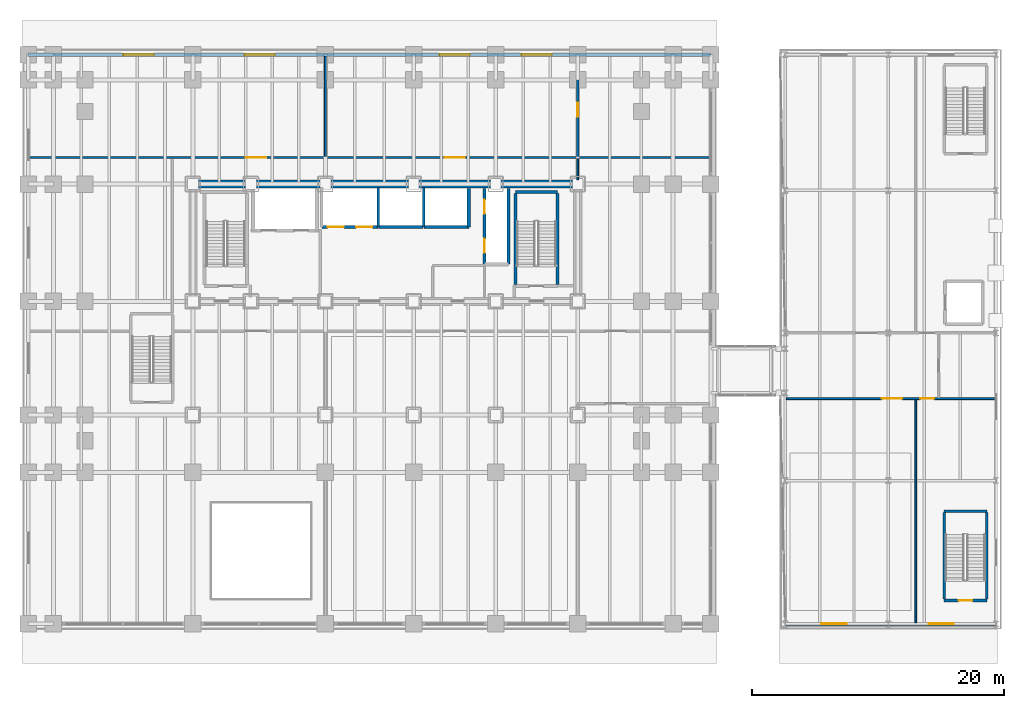
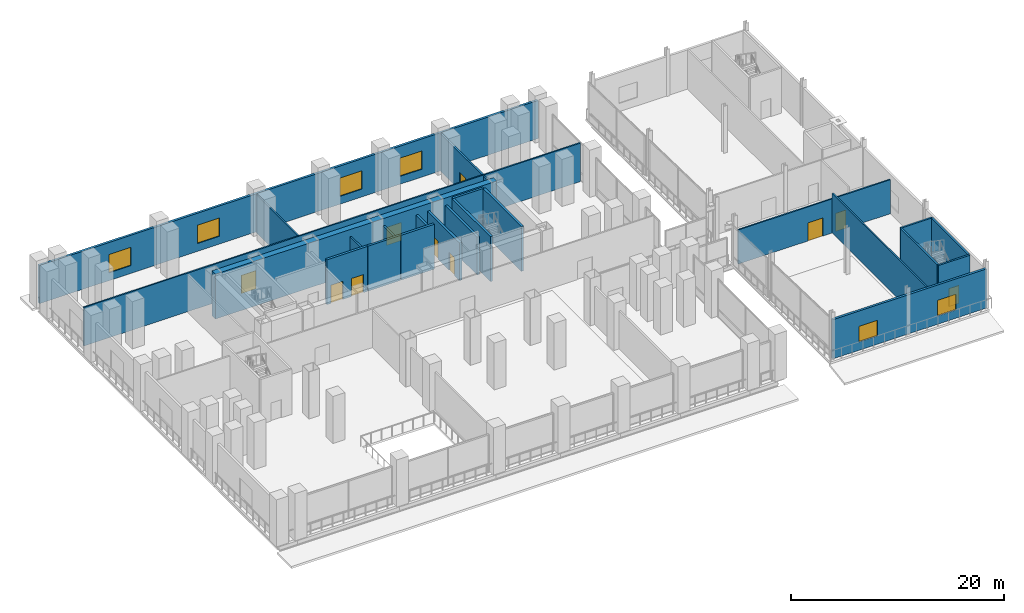
# One storey, part 21 of 32: 24 walls, 10 doors, 6 windows, 16 openings.
"""IFC4 building model written with IfcOpenShell, lengths in metres."""

import ifcopenshell
import ifcopenshell.guid

model = None  # the IFC model being written
_history = None  # IfcOwnerHistory: only IFC2X3 demands one
_inside = {}  # id of a spatial element -> (the spatial element, [elements in it])
_under = {}  # id of a project, library or spatial element -> (it, [spatial elements below it])
_declared = {}  # id of a project -> (the project, [libraries it declares])
_typed = {}  # id of a type object -> (the type object, [elements of that type])
_made_of = {}  # id of a material, layer set ... -> (it, [elements and type objects made of it])


def new_model(schema):
    """Start an empty IFC model of exactly this schema.

    Asked for "IFC4X3", IfcOpenShell would pick the latest addendum, in which some entities
    have other attributes; the version numbers below select the first issue.
    IFC2X3 requires an IfcOwnerHistory on every rooted entity: one is made here for all.
    """
    global model, _history
    if schema == "IFC4X3":
        model = ifcopenshell.file(schema_version=(4, 3, 0, 0))
    else:
        model = ifcopenshell.file(schema=schema)
    _inside.clear()
    _under.clear()
    _declared.clear()
    _typed.clear()
    _made_of.clear()
    _history = None
    if model.schema == "IFC2X3":
        org = make("IfcOrganization", Name="unknown")
        user = make(
            "IfcPersonAndOrganization",
            ThePerson=make("IfcPerson", FamilyName="unknown"),
            TheOrganization=org,
        )
        app = make(
            "IfcApplication",
            ApplicationDeveloper=org,
            Version="unknown",
            ApplicationFullName="unknown",
            ApplicationIdentifier="unknown",
        )
        _history = make(
            "IfcOwnerHistory",
            OwningUser=user,
            OwningApplication=app,
            ChangeAction="ADDED",
            CreationDate=0,
        )
    return model


def make(cls, **values):
    """One entity of the class cls with the attributes given. An attribute that is None is left unset."""
    return model.create_entity(
        cls, **{name: value for name, value in values.items() if value is not None}
    )


def rooted(cls, **values):
    """An entity with a GlobalId (a new one), such as an element, a storey or a relation."""
    return make(cls, GlobalId=ifcopenshell.guid.new(), OwnerHistory=_history, **values)


def si_unit(unit_type, name, prefix=None):
    """IfcSIUnit, for example si_unit("LENGTHUNIT", "METRE", prefix="MILLI")."""
    return make("IfcSIUnit", UnitType=unit_type, Prefix=prefix, Name=name)


def assignment(units):
    """IfcUnitAssignment: the units of a project."""
    return None if units is None else make("IfcUnitAssignment", Units=units)


def point(xyz):
    """IfcCartesianPoint."""
    return None if xyz is None else make("IfcCartesianPoint", Coordinates=xyz)


def direction(xyz):
    """IfcDirection."""
    return None if xyz is None else make("IfcDirection", DirectionRatios=xyz)


def frame(location, z_axis=None, x_axis=None):
    """IfcAxis2Placement3D, a coordinate frame: its origin and axes. An axis left out is left unset."""
    return make(
        "IfcAxis2Placement3D",
        Location=point(location),
        Axis=direction(z_axis),
        RefDirection=direction(x_axis),
    )


def frame_2d(location, x_axis=None):
    """IfcAxis2Placement2D, a coordinate frame in the plane: its origin and x axis."""
    return make(
        "IfcAxis2Placement2D", Location=point(location), RefDirection=direction(x_axis)
    )


def origin():
    """The frame at (0, 0, 0) with its axes left unset."""
    return frame((0.0, 0.0, 0.0))


def place(relative_to, where):
    """IfcLocalPlacement: puts the frame where relative to a parent placement (None: the world)."""
    return make(
        "IfcLocalPlacement", PlacementRelTo=relative_to, RelativePlacement=where
    )


def context(
    kind, dimensions, precision=None, world=None, true_north=None, identifier=None
):
    """IfcGeometricRepresentationContext, for example the 3D "Model" context."""
    return make(
        "IfcGeometricRepresentationContext",
        ContextIdentifier=identifier,
        ContextType=kind,
        CoordinateSpaceDimension=dimensions,
        Precision=precision,
        WorldCoordinateSystem=world,
        TrueNorth=true_north,
    )


def subcontext(parent, identifier, kind, view, scale=None):
    """IfcGeometricRepresentationSubContext, for example "Body" below "Model"."""
    return make(
        "IfcGeometricRepresentationSubContext",
        ContextIdentifier=identifier,
        ContextType=kind,
        ParentContext=parent,
        TargetScale=scale,
        TargetView=view,
    )


def project(units=None, contexts=None):
    """IfcProject with its units and contexts."""
    return rooted(
        "IfcProject",
        Name="project",
        RepresentationContexts=contexts,
        UnitsInContext=assignment(units),
    )


def spatial(cls, under=None, at=None, **own):
    """A site, building, storey or space (cls), placed at a placement, below another one or the project."""
    s = rooted(cls, ObjectPlacement=at, **own)
    if under is not None:
        _under.setdefault(under.id(), (under, []))[1].append(s)
    return s


def profile(cls, at=None, kind="AREA", **sizes):
    """A parametric profile (cls). Its sizes go by their IFC names, for example OverallWidth=200.0."""
    return make(cls, ProfileType=kind, Position=at, **sizes)


def rectangle(**sizes):
    """IfcRectangleProfileDef."""
    return profile("IfcRectangleProfileDef", **sizes)


def extrude(swept, where, along, depth):
    """IfcExtrudedAreaSolid: the profile swept, set in the frame where, extruded along a direction by depth."""
    return make(
        "IfcExtrudedAreaSolid",
        SweptArea=swept,
        Position=where,
        ExtrudedDirection=direction(along),
        Depth=depth,
    )


def shape(context_of_items, identifier, shape_type, items):
    """IfcShapeRepresentation: the items that make up one representation, for example the "Body"."""
    return make(
        "IfcShapeRepresentation",
        ContextOfItems=context_of_items,
        RepresentationIdentifier=identifier,
        RepresentationType=shape_type,
        Items=items,
    )


def material(Name=None, Category=None):
    """IfcMaterial."""
    return make("IfcMaterial", Name=Name, Category=Category)


def layer(
    of_material, thickness, ventilated=None, Name=None, Category=None, Priority=None
):
    """IfcMaterialLayer: one layer of a wall or slab, of a material (None: an air gap)."""
    return make(
        "IfcMaterialLayer",
        Material=of_material,
        LayerThickness=thickness,
        IsVentilated=ventilated,
        Name=Name,
        Category=Category,
        Priority=Priority,
    )


def layer_set(layers, Name=None):
    """IfcMaterialLayerSet."""
    return make("IfcMaterialLayerSet", MaterialLayers=layers, LayerSetName=Name)


def made_of(thing, what):
    """Note that an element or type object is made of a material, layer set ...; save() writes the relation."""
    if what is not None:
        _made_of.setdefault(what.id(), (what, []))[1].append(thing)
    return thing


def type_object(cls, material=None, **own):
    """A type object (cls), such as IfcWallType, which elements share."""
    return made_of(rooted(cls, **own), material)


def element(
    cls,
    number,
    at=None,
    inside=None,
    cuts=None,
    type_object=None,
    material=None,
    context=None,
    identifier="Body",
    shape_type=None,
    held_by="IfcProductDefinitionShape",
    body=None,
    shapes=None,
    **own,
):
    """One element of the class cls, such as IfcWall. Its Tag is "e" and its number.

    at: its placement. inside: the storey or other place that contains it. cuts: it is an
    opening in that element (IfcRelVoidsElement). A single representation is given by context,
    identifier, shape_type and body (its items); several are given by shapes. held_by: the class
    of the entity that holds the representations. save() writes the other relations.
    """
    e = rooted(cls, Tag="e%d" % number, ObjectPlacement=at, **own)
    if body is not None:
        shapes = [shape(context, identifier, shape_type, body)]
    if shapes is not None:
        e.Representation = make(held_by, Representations=shapes)
    if inside is not None:
        _inside.setdefault(inside.id(), (inside, []))[1].append(e)
    if cuts is not None:
        rooted(
            "IfcRelVoidsElement", RelatingBuildingElement=cuts, RelatedOpeningElement=e
        )
    if type_object is not None:
        _typed.setdefault(type_object.id(), (type_object, []))[1].append(e)
    return made_of(e, material)


def fill(opening, filler):
    """IfcRelFillsElement: the door or window that sits in an opening."""
    return rooted(
        "IfcRelFillsElement",
        RelatingOpeningElement=opening,
        RelatedBuildingElement=filler,
    )


def aggregate(whole, parts):
    """IfcRelAggregates: a whole, such as a stair, and the parts it consists of."""
    return rooted("IfcRelAggregates", RelatingObject=whole, RelatedObjects=parts)


def save(model, path):
    """Write the relations noted so far, then the file.

    IfcRelAggregates (storeys below a building ...), IfcRelContainedInSpatialStructure (elements
    in a storey), IfcRelDefinesByType, IfcRelAssociatesMaterial and IfcRelDeclares: one each for
    every whole, place, type object, material and project.
    """
    for whole, parts in _under.values():
        aggregate(whole, parts)
    for where, things in _inside.values():
        rooted(
            "IfcRelContainedInSpatialStructure",
            RelatedElements=things,
            RelatingStructure=where,
        )
    for kind, things in _typed.values():
        rooted("IfcRelDefinesByType", RelatedObjects=things, RelatingType=kind)
    for what, things in _made_of.values():
        rooted("IfcRelAssociatesMaterial", RelatedObjects=things, RelatingMaterial=what)
    for by, libraries in _declared.values():
        rooted("IfcRelDeclares", RelatingContext=by, RelatedDefinitions=libraries)
    model.write(path)


model = new_model("IFC4")

# Units and contexts
model_context = context("Model", 3, precision=1e-05, world=origin(), true_north=direction((0.0, 1.0)))
body_context = subcontext(model_context, "Body", "Model", "MODEL_VIEW")
ifc_project = project(units=[si_unit("LENGTHUNIT", "METRE"), si_unit("AREAUNIT", "SQUARE_METRE"), si_unit("VOLUMEUNIT", "CUBIC_METRE"), si_unit("PLANEANGLEUNIT", "RADIAN"), si_unit("MASSUNIT", "GRAM", prefix="KILO")], contexts=[model_context])

# Site, building, storey
site_placement = place(None, origin())
site = spatial("IfcSite", under=ifc_project, at=site_placement, CompositionType="ELEMENT")
building_placement = place(site_placement, origin())
building = spatial("IfcBuilding", under=site, at=building_placement, Name="Noeulbin Bourse Tower", CompositionType="ELEMENT")
storey_placement = place(building_placement, frame((0.0, 0.0, 5.800048828125)))
storey = spatial("IfcBuildingStorey", under=building, at=storey_placement, Name="L02", CompositionType="ELEMENT", Elevation=5.800048828125)

# Wall
ifc_material_1 = material(Name="Concrete C60/75", Category="concrete")
ifc_layer_1 = layer(ifc_material_1, 0.64990234375)
ifc_layer_set_1 = layer_set([ifc_layer_1], Name="Concrete C60/75")
wall_type_1 = type_object("IfcWallType", Name="WAL-CORE-650", PredefinedType="SHEAR", material=ifc_layer_set_1)
wall_1_placement = place(storey_placement, frame((13.5, 38.300048828125, 0.0), z_axis=(0.0, 0.0, 1.0), x_axis=(1.0, 0.0, 0.0)))
element("IfcWall", 1, at=wall_1_placement, inside=storey, type_object=wall_type_1, Name="Rear Core North Shear Wall L02", PredefinedType="SHEAR", context=body_context, shape_type="SweptSolid", body=[
    extrude(rectangle(XDim=30.5, YDim=0.64990234375, at=frame_2d((15.25, 0.0))), origin(), (0.0, 0.0, 1.0), 5.14990234375),
])

# Wall, openings, windows
ifc_material_2 = material(Name="Precast Concrete C40/50", Category="concrete")
ifc_layer_2 = layer(ifc_material_2, 0.25)
ifc_layer_set_2 = layer_set([ifc_layer_2], Name="Precast Concrete C40/50")
wall_type_2 = type_object("IfcWallType", Name="WAL-EXT-250", PredefinedType="STANDARD", material=ifc_layer_set_2)
wall_2_placement = place(storey_placement, frame((0.449951171875, 48.550048828125, 0.0), z_axis=(0.0, 0.0, 1.0), x_axis=(1.0, 0.0, 0.0)))
wall_2 = element("IfcWall", 2, at=wall_2_placement, inside=storey, type_object=wall_type_2, Name="Podium North Precast Wall L02", PredefinedType="STANDARD", context=body_context, shape_type="SweptSolid", body=[
    extrude(rectangle(XDim=54.10009765625, YDim=0.25, at=frame_2d((27.050048828125, 0.0))), origin(), (0.0, 0.0, 1.0), 4.369873046875),
])
opening_1_placement = place(wall_2_placement, frame((7.550048828125, 0.0, 0.89990234375)))
opening_1 = element("IfcOpeningElement", 3, at=opening_1_placement, cuts=wall_2, Name="Opening W-01", PredefinedType="OPENING", context=body_context, shape_type="SweptSolid", body=[
    extrude(rectangle(XDim=2.39990234375, YDim=2.10009765625, at=frame_2d((1.199951171875, 1.050048828125))), frame((0.0, 0.135009765625, 0.0), z_axis=(0.0, -1.0, 0.0), x_axis=(1.0, 0.0, 0.0)), (0.0, 0.0, 1.0), 0.27001953125),
])
opening_2_placement = place(wall_2_placement, frame((17.14990234375, 0.0, 0.89990234375)))
opening_2 = element("IfcOpeningElement", 4, at=opening_2_placement, cuts=wall_2, Name="Opening W-01", PredefinedType="OPENING", context=body_context, shape_type="SweptSolid", body=[
    extrude(rectangle(XDim=2.39990234375, YDim=2.10009765625, at=frame_2d((1.199951171875, 1.050048828125))), frame((0.0, 0.135009765625, 0.0), z_axis=(0.0, -1.0, 0.0), x_axis=(1.0, 0.0, 0.0)), (0.0, 0.0, 1.0), 0.27001953125),
])
opening_3_placement = place(wall_2_placement, frame((32.60009765625, 0.0, 0.89990234375)))
opening_3 = element("IfcOpeningElement", 5, at=opening_3_placement, cuts=wall_2, Name="Opening W-01", PredefinedType="OPENING", context=body_context, shape_type="SweptSolid", body=[
    extrude(rectangle(XDim=2.39990234375, YDim=2.10009765625, at=frame_2d((1.199951171875, 1.050048828125))), frame((0.0, 0.135009765625, 0.0), z_axis=(0.0, -1.0, 0.0), x_axis=(1.0, 0.0, 0.0)), (0.0, 0.0, 1.0), 0.27001953125),
])
opening_4_placement = place(wall_2_placement, frame((39.10009765625, 0.0, 0.89990234375)))
opening_4 = element("IfcOpeningElement", 6, at=opening_4_placement, cuts=wall_2, Name="Opening W-01", PredefinedType="OPENING", context=body_context, shape_type="SweptSolid", body=[
    extrude(rectangle(XDim=2.39990234375, YDim=2.10009765625, at=frame_2d((1.199951171875, 1.050048828125))), frame((0.0, 0.135009765625, 0.0), z_axis=(0.0, -1.0, 0.0), x_axis=(1.0, 0.0, 0.0)), (0.0, 0.0, 1.0), 0.27001953125),
])
ifc_material_3 = material(Name="Thermally Broken Aluminium Triple Glazing", Category="aluminium")
window_type_1 = type_object("IfcWindowType", Name="WIN-POD-2400x2100", PartitioningType="SINGLE_PANEL", PredefinedType="WINDOW", material=ifc_material_3)
window_1_placement = place(opening_1_placement, origin())
window_1 = element("IfcWindow", 7, at=window_1_placement, inside=storey, type_object=window_type_1, Name="Podium North Window L02-01", OverallHeight=2.10009765625, OverallWidth=2.39990234375, PartitioningType="SINGLE_PANEL", PredefinedType="WINDOW", context=body_context, shape_type="SweptSolid", body=[
    extrude(rectangle(XDim=2.39990234375, YDim=2.10009765625, at=frame_2d((1.199951171875, 1.050048828125))), frame((0.0, 0.030029296875, 0.0), z_axis=(0.0, -1.0, 0.0), x_axis=(1.0, 0.0, 0.0)), (0.0, 0.0, 1.0), 0.06005859375),
])
fill(opening_1, window_1)
window_2_placement = place(opening_2_placement, origin())
window_2 = element("IfcWindow", 8, at=window_2_placement, inside=storey, type_object=window_type_1, Name="Podium North Window L02-02", OverallHeight=2.10009765625, OverallWidth=2.39990234375, PartitioningType="SINGLE_PANEL", PredefinedType="WINDOW", context=body_context, shape_type="SweptSolid", body=[
    extrude(rectangle(XDim=2.39990234375, YDim=2.10009765625, at=frame_2d((1.199951171875, 1.050048828125))), frame((0.0, 0.030029296875, 0.0), z_axis=(0.0, -1.0, 0.0), x_axis=(1.0, 0.0, 0.0)), (0.0, 0.0, 1.0), 0.06005859375),
])
fill(opening_2, window_2)
window_3_placement = place(opening_3_placement, origin())
window_3 = element("IfcWindow", 9, at=window_3_placement, inside=storey, type_object=window_type_1, Name="Podium North Window L02-03", OverallHeight=2.10009765625, OverallWidth=2.39990234375, PartitioningType="SINGLE_PANEL", PredefinedType="WINDOW", context=body_context, shape_type="SweptSolid", body=[
    extrude(rectangle(XDim=2.39990234375, YDim=2.10009765625, at=frame_2d((1.199951171875, 1.050048828125))), frame((0.0, 0.030029296875, 0.0), z_axis=(0.0, -1.0, 0.0), x_axis=(1.0, 0.0, 0.0)), (0.0, 0.0, 1.0), 0.06005859375),
])
fill(opening_3, window_3)
window_4_placement = place(opening_4_placement, origin())
window_4 = element("IfcWindow", 10, at=window_4_placement, inside=storey, type_object=window_type_1, Name="Podium North Window L02-04", OverallHeight=2.10009765625, OverallWidth=2.39990234375, PartitioningType="SINGLE_PANEL", PredefinedType="WINDOW", context=body_context, shape_type="SweptSolid", body=[
    extrude(rectangle(XDim=2.39990234375, YDim=2.10009765625, at=frame_2d((1.199951171875, 1.050048828125))), frame((0.0, 0.030029296875, 0.0), z_axis=(0.0, -1.0, 0.0), x_axis=(1.0, 0.0, 0.0)), (0.0, 0.0, 1.0), 0.06005859375),
])
fill(opening_4, window_4)

wall_3_placement = place(storey_placement, frame((60.449951171875, 3.449951171875, 0.0), z_axis=(0.0, 0.0, 1.0), x_axis=(1.0, 0.0, 0.0)))
wall_3 = element("IfcWall", 11, at=wall_3_placement, inside=storey, type_object=wall_type_2, Name="Market Hall South Wall L02", PredefinedType="STANDARD", context=body_context, shape_type="SweptSolid", body=[
    extrude(rectangle(XDim=16.699951171875, YDim=0.25, at=frame_2d((8.35009765625, 0.0))), origin(), (0.0, 0.0, 1.0), 4.5),
])
opening_5_placement = place(wall_3_placement, frame((2.85009765625, 0.0, 0.949951171875)))
opening_5 = element("IfcOpeningElement", 12, at=opening_5_placement, cuts=wall_3, Name="Opening W-02", PredefinedType="OPENING", context=body_context, shape_type="SweptSolid", body=[
    extrude(rectangle(XDim=2.0, YDim=1.800048828125, at=frame_2d((1.0, 0.89990234375))), frame((0.0, 0.135009765625, 0.0), z_axis=(0.0, -1.0, 0.0), x_axis=(1.0, 0.0, 0.0)), (0.0, 0.0, 1.0), 0.27001953125),
])
opening_6_placement = place(wall_3_placement, frame((11.35009765625, 0.0, 0.949951171875)))
opening_6 = element("IfcOpeningElement", 13, at=opening_6_placement, cuts=wall_3, Name="Opening W-02", PredefinedType="OPENING", context=body_context, shape_type="SweptSolid", body=[
    extrude(rectangle(XDim=2.0, YDim=1.800048828125, at=frame_2d((1.0, 0.89990234375))), frame((0.0, 0.135009765625, 0.0), z_axis=(0.0, -1.0, 0.0), x_axis=(1.0, 0.0, 0.0)), (0.0, 0.0, 1.0), 0.27001953125),
])
window_type_2 = type_object("IfcWindowType", Name="WIN-MKT-2000x1800", PartitioningType="DOUBLE_PANEL_VERTICAL", PredefinedType="WINDOW", material=ifc_material_3)
window_5_placement = place(opening_5_placement, origin())
window_5 = element("IfcWindow", 14, at=window_5_placement, inside=storey, type_object=window_type_2, Name="Market South Window L02-1", OverallHeight=1.800048828125, OverallWidth=2.0, PartitioningType="SINGLE_PANEL", PredefinedType="WINDOW", context=body_context, shape_type="SweptSolid", body=[
    extrude(rectangle(XDim=2.0, YDim=1.800048828125, at=frame_2d((1.0, 0.89990234375))), frame((0.0, 0.030029296875, 0.0), z_axis=(0.0, -1.0, 0.0), x_axis=(1.0, 0.0, 0.0)), (0.0, 0.0, 1.0), 0.06005859375),
])
fill(opening_5, window_5)
window_6_placement = place(opening_6_placement, origin())
window_6 = element("IfcWindow", 15, at=window_6_placement, inside=storey, type_object=window_type_2, Name="Market South Window L02-2", OverallHeight=1.800048828125, OverallWidth=2.0, PartitioningType="SINGLE_PANEL", PredefinedType="WINDOW", context=body_context, shape_type="SweptSolid", body=[
    extrude(rectangle(XDim=2.0, YDim=1.800048828125, at=frame_2d((1.0, 0.89990234375))), frame((0.0, 0.030029296875, 0.0), z_axis=(0.0, -1.0, 0.0), x_axis=(1.0, 0.0, 0.0)), (0.0, 0.0, 1.0), 0.06005859375),
])
fill(opening_6, window_6)

# Wall, opening, door
ifc_material_4 = material(Name="Concrete C40/50", Category="concrete")
ifc_layer_3 = layer(ifc_material_4, 0.199951171875)
ifc_layer_set_3 = layer_set([ifc_layer_3], Name="Concrete C40/50")
wall_type_3 = type_object("IfcWallType", Name="WAL-FIRE-200", PredefinedType="STANDARD", material=ifc_layer_set_3)
wall_4_placement = place(storey_placement, frame((73.02001953125, 5.300048828125, 0.0), z_axis=(0.0, 0.0, 1.0), x_axis=(1.0, 0.0, 0.0)))
wall_4 = element("IfcWall", 16, at=wall_4_placement, inside=storey, type_object=wall_type_3, Name="Stair MST1 South Wall L02", PredefinedType="STANDARD", context=body_context, shape_type="SweptSolid", body=[
    extrude(rectangle(XDim=3.39990234375, YDim=0.199951171875, at=frame_2d((1.699951171875, 0.0))), origin(), (0.0, 0.0, 1.0), 5.179931640625),
])
opening_7_placement = place(wall_4_placement, frame((1.14990234375, 0.0, 0.0)))
opening_7 = element("IfcOpeningElement", 17, at=opening_7_placement, cuts=wall_4, Name="Opening FD-11", PredefinedType="OPENING", context=body_context, shape_type="SweptSolid", body=[
    extrude(rectangle(XDim=1.10009765625, YDim=2.080078125, at=frame_2d((0.550048828125, 1.0400390625))), frame((0.0, 0.10986328125, 0.0), z_axis=(0.0, -1.0, 0.0), x_axis=(1.0, 0.0, 0.0)), (0.0, 0.0, 1.0), 0.219970703125),
])
ifc_material_5 = material(Name="Fire-Rated Insulated Steel", Category="steel")
door_type_1 = type_object("IfcDoorType", Name="DR-FD60-1100", OperationType="SINGLE_SWING_LEFT", PredefinedType="DOOR", material=ifc_material_5)
door_1_placement = place(opening_7_placement, origin())
door_1 = element("IfcDoor", 18, at=door_1_placement, inside=storey, type_object=door_type_1, Name="Escape Stair Door MST1-L02", OperationType="SINGLE_SWING_RIGHT", OverallHeight=2.080078125, OverallWidth=1.10009765625, PredefinedType="DOOR", context=body_context, shape_type="SweptSolid", body=[
    extrude(rectangle(XDim=1.10009765625, YDim=2.080078125, at=frame_2d((0.550048828125, 1.0400390625))), frame((0.0, 0.02490234375, 0.0), z_axis=(0.0, -1.0, 0.0), x_axis=(1.0, 0.0, 0.0)), (0.0, 0.0, 1.0), 0.050048828125),
])
fill(opening_7, door_1)

# Walls
wall_5_placement = place(storey_placement, frame((73.02001953125, 12.360107421875, 0.0), z_axis=(0.0, 0.0, 1.0), x_axis=(1.0, 0.0, 0.0)))
element("IfcWall", 19, at=wall_5_placement, inside=storey, type_object=wall_type_3, Name="Stair MST1 North Wall L02", PredefinedType="STANDARD", context=body_context, shape_type="SweptSolid", body=[
    extrude(rectangle(XDim=3.39990234375, YDim=0.199951171875, at=frame_2d((1.699951171875, 0.0))), origin(), (0.0, 0.0, 1.0), 5.179931640625),
])
for number, where, z_axis, x_axis, name in (
    (20, (73.0400390625, 5.39990234375, 0.0), (0.0, 0.0, 1.0), (0.0, 1.0, 0.0), "Stair MST1 West Wall L02"),
    (21, (76.39990234375, 5.39990234375, 0.0), (0.0, 0.0, 1.0), (0.0, 1.0, 0.0), "Stair MST1 East Wall L02"),
):
    element("IfcWall", number, at=place(storey_placement, frame(where, z_axis=z_axis, x_axis=x_axis)), inside=storey, type_object=wall_type_3, Name=name, PredefinedType="STANDARD", context=body_context, shape_type="SweptSolid", body=[
        extrude(rectangle(XDim=6.860107421875, YDim=0.199951171875, at=frame_2d((3.43017578125, 0.0))), origin(), (0.0, 0.0, 1.0), 5.179931640625),
    ])

# Wall, opening, door
wall_6_placement = place(storey_placement, frame((44.0, 40.485107421875, 0.0), z_axis=(0.0, 0.0, 1.0), x_axis=(0.0, 1.0, 0.0)))
wall_6 = element("IfcWall", 22, at=wall_6_placement, inside=storey, type_object=wall_type_3, Name="Interior Partition Wall L02-12", PredefinedType="STANDARD", context=body_context, shape_type="SweptSolid", body=[
    extrude(rectangle(XDim=7.934814453125, YDim=0.199951171875, at=frame_2d((3.96728515625, 0.0))), origin(), (0.0, 0.0, 1.0), 4.329833984375),
])
opening_8_placement = place(wall_6_placement, frame((3.1650390625, 0.0, 0.0)))
opening_8 = element("IfcOpeningElement", 23, at=opening_8_placement, cuts=wall_6, Name="Opening FD-11", PredefinedType="OPENING", context=body_context, shape_type="SweptSolid", body=[
    extrude(rectangle(XDim=1.10009765625, YDim=2.080078125, at=frame_2d((0.550048828125, 1.0400390625))), frame((0.0, 0.10986328125, 0.0), z_axis=(0.0, -1.0, 0.0), x_axis=(1.0, 0.0, 0.0)), (0.0, 0.0, 1.0), 0.219970703125),
])
door_2_placement = place(opening_8_placement, origin())
door_2 = element("IfcDoor", 24, at=door_2_placement, inside=storey, type_object=door_type_1, Name="Interior Door L02-07", OperationType="SINGLE_SWING_LEFT", OverallHeight=2.080078125, OverallWidth=1.10009765625, PredefinedType="DOOR", context=body_context, shape_type="SweptSolid", body=[
    extrude(rectangle(XDim=1.10009765625, YDim=2.080078125, at=frame_2d((0.550048828125, 1.0400390625))), frame((0.0, 0.02490234375, 0.0), z_axis=(0.0, -1.0, 0.0), x_axis=(1.0, 0.0, 0.0)), (0.0, 0.0, 1.0), 0.050048828125),
])
fill(opening_8, door_2)

# Wall, openings, doors
ifc_material_6 = material(Name="Steel Stud Acoustic Gypsum Board", Category="steel")
ifc_layer_4 = layer(ifc_material_6, 0.14990234375)
ifc_layer_set_4 = layer_set([ifc_layer_4], Name="Steel Stud Acoustic Gypsum Board")
wall_type_4 = type_object("IfcWallType", Name="WAL-PRT-150", PredefinedType="PARTITIONING", material=ifc_layer_set_4)
wall_7_placement = place(storey_placement, frame((0.580078125, 40.39990234375, 0.0), z_axis=(0.0, 0.0, 1.0), x_axis=(1.0, 0.0, 0.0)))
wall_7 = element("IfcWall", 25, at=wall_7_placement, inside=storey, type_object=wall_type_4, Name="Interior Partition Wall L02-03", PredefinedType="PARTITIONING", context=body_context, shape_type="SweptSolid", body=[
    extrude(rectangle(XDim=53.889892578125, YDim=0.14990234375, at=frame_2d((26.94482421875, 0.0))), origin(), (0.0, 0.0, 1.0), 4.429931640625),
])
opening_9_placement = place(wall_7_placement, frame((17.1201171875, 0.0, 0.0)))
opening_9 = element("IfcOpeningElement", 26, at=opening_9_placement, cuts=wall_7, Name="Opening ID-16", PredefinedType="OPENING", context=body_context, shape_type="SweptSolid", body=[
    extrude(rectangle(XDim=1.60009765625, YDim=2.080078125, at=frame_2d((0.800048828125, 1.0400390625))), frame((0.0, 0.0849609375, 0.0), z_axis=(0.0, -1.0, 0.0), x_axis=(1.0, 0.0, 0.0)), (0.0, 0.0, 1.0), 0.169921875),
])
opening_10_placement = place(wall_7_placement, frame((32.8701171875, 0.0, 0.0)))
opening_10 = element("IfcOpeningElement", 27, at=opening_10_placement, cuts=wall_7, Name="Opening ID-16", PredefinedType="OPENING", context=body_context, shape_type="SweptSolid", body=[
    extrude(rectangle(XDim=1.60009765625, YDim=2.080078125, at=frame_2d((0.800048828125, 1.0400390625))), frame((0.0, 0.0849609375, 0.0), z_axis=(0.0, -1.0, 0.0), x_axis=(1.0, 0.0, 0.0)), (0.0, 0.0, 1.0), 0.169921875),
])
ifc_material_7 = material(Name="Acoustic Glazed Aluminium", Category="aluminium")
door_type_2 = type_object("IfcDoorType", Name="DR-DBL-1600", OperationType="DOUBLE_DOOR_SINGLE_SWING", PredefinedType="DOOR", material=ifc_material_7)
door_3_placement = place(opening_9_placement, origin())
door_3 = element("IfcDoor", 28, at=door_3_placement, inside=storey, type_object=door_type_2, Name="Interior Door L02-05", OperationType="DOUBLE_DOOR_SINGLE_SWING", OverallHeight=2.080078125, OverallWidth=1.60009765625, PredefinedType="DOOR", context=body_context, shape_type="SweptSolid", body=[
    extrude(rectangle(XDim=1.60009765625, YDim=2.080078125, at=frame_2d((0.800048828125, 1.0400390625))), frame((0.0, 0.02490234375, 0.0), z_axis=(0.0, -1.0, 0.0), x_axis=(1.0, 0.0, 0.0)), (0.0, 0.0, 1.0), 0.050048828125),
])
fill(opening_9, door_3)
door_4_placement = place(opening_10_placement, origin())
door_4 = element("IfcDoor", 29, at=door_4_placement, inside=storey, type_object=door_type_2, Name="Interior Door L02-06", OperationType="DOUBLE_DOOR_SINGLE_SWING", OverallHeight=2.080078125, OverallWidth=1.60009765625, PredefinedType="DOOR", context=body_context, shape_type="SweptSolid", body=[
    extrude(rectangle(XDim=1.60009765625, YDim=2.080078125, at=frame_2d((0.800048828125, 1.0400390625))), frame((0.0, 0.02490234375, 0.0), z_axis=(0.0, -1.0, 0.0), x_axis=(1.0, 0.0, 0.0)), (0.0, 0.0, 1.0), 0.050048828125),
])
fill(opening_10, door_4)

wall_8_placement = place(storey_placement, frame((60.530029296875, 21.300048828125, 0.0), z_axis=(0.0, 0.0, 1.0), x_axis=(1.0, 0.0, 0.0)))
wall_8 = element("IfcWall", 30, at=wall_8_placement, inside=storey, type_object=wall_type_4, Name="Interior Partition Wall L02-04", PredefinedType="PARTITIONING", context=body_context, shape_type="SweptSolid", body=[
    extrude(rectangle(XDim=16.489990234375, YDim=0.14990234375, at=frame_2d((8.2451171875, 0.0))), origin(), (0.0, 0.0, 1.0), 3.909912109375),
])
opening_11_placement = place(wall_8_placement, frame((7.570068359375, 0.0, 0.0)))
opening_11 = element("IfcOpeningElement", 31, at=opening_11_placement, cuts=wall_8, Name="Opening ID-16", PredefinedType="OPENING", context=body_context, shape_type="SweptSolid", body=[
    extrude(rectangle(XDim=1.60009765625, YDim=2.080078125, at=frame_2d((0.800048828125, 1.0400390625))), frame((0.0, 0.0849609375, 0.0), z_axis=(0.0, -1.0, 0.0), x_axis=(1.0, 0.0, 0.0)), (0.0, 0.0, 1.0), 0.169921875),
])
opening_12_placement = place(wall_8_placement, frame((10.60009765625, 0.0, 0.0)))
opening_12 = element("IfcOpeningElement", 32, at=opening_12_placement, cuts=wall_8, Name="Opening FD-11", PredefinedType="OPENING", context=body_context, shape_type="SweptSolid", body=[
    extrude(rectangle(XDim=1.10009765625, YDim=2.080078125, at=frame_2d((0.550048828125, 1.0400390625))), frame((0.0, 0.0849609375, 0.0), z_axis=(0.0, -1.0, 0.0), x_axis=(1.0, 0.0, 0.0)), (0.0, 0.0, 1.0), 0.169921875),
])
door_5_placement = place(opening_11_placement, origin())
door_5 = element("IfcDoor", 33, at=door_5_placement, inside=storey, type_object=door_type_2, Name="Interior Door L02-08", OperationType="DOUBLE_DOOR_SINGLE_SWING", OverallHeight=2.080078125, OverallWidth=1.60009765625, PredefinedType="DOOR", context=body_context, shape_type="SweptSolid", body=[
    extrude(rectangle(XDim=1.60009765625, YDim=2.080078125, at=frame_2d((0.800048828125, 1.0400390625))), frame((0.0, 0.02490234375, 0.0), z_axis=(0.0, -1.0, 0.0), x_axis=(1.0, 0.0, 0.0)), (0.0, 0.0, 1.0), 0.050048828125),
])
fill(opening_11, door_5)
door_6_placement = place(opening_12_placement, origin())
door_6 = element("IfcDoor", 34, at=door_6_placement, inside=storey, type_object=door_type_1, Name="Market South Stair Corridor Door L02", OperationType="SINGLE_SWING_RIGHT", OverallHeight=2.080078125, OverallWidth=1.10009765625, PredefinedType="DOOR", context=body_context, shape_type="SweptSolid", body=[
    extrude(rectangle(XDim=1.10009765625, YDim=2.080078125, at=frame_2d((0.550048828125, 1.0400390625))), frame((0.0, 0.02490234375, 0.0), z_axis=(0.0, -1.0, 0.0), x_axis=(1.0, 0.0, 0.0)), (0.0, 0.0, 1.0), 0.050048828125),
])
fill(opening_12, door_6)

# Walls
wall_9_placement = place(storey_placement, frame((24.0, 40.485107421875, 0.0), z_axis=(0.0, 0.0, 1.0), x_axis=(0.0, 1.0, 0.0)))
element("IfcWall", 35, at=wall_9_placement, inside=storey, type_object=wall_type_4, Name="Interior Partition Wall L02-11", PredefinedType="PARTITIONING", context=body_context, shape_type="SweptSolid", body=[
    extrude(rectangle(XDim=7.934814453125, YDim=0.14990234375, at=frame_2d((3.96728515625, 0.0))), origin(), (0.0, 0.0, 1.0), 4.329833984375),
])
wall_10_placement = place(storey_placement, frame((44.0, 38.635009765625, 0.0), z_axis=(0.0, 0.0, 1.0), x_axis=(0.0, 1.0, 0.0)))
element("IfcWall", 36, at=wall_10_placement, inside=storey, type_object=wall_type_4, Name="Interior Partition Wall L02-13", PredefinedType="PARTITIONING", context=body_context, shape_type="SweptSolid", body=[
    extrude(rectangle(XDim=1.679931640625, YDim=0.14990234375, at=frame_2d((0.83984375, 0.0))), origin(), (0.0, 0.0, 1.0), 4.329833984375),
])
wall_11_placement = place(storey_placement, frame((70.780029296875, 3.530029296875, 0.0), z_axis=(0.0, 0.0, 1.0), x_axis=(0.0, 1.0, 0.0)))
element("IfcWall", 37, at=wall_11_placement, inside=storey, type_object=wall_type_4, Name="Interior Partition Wall L02-15", PredefinedType="PARTITIONING", context=body_context, shape_type="SweptSolid", body=[
    extrude(rectangle(XDim=17.68505859375, YDim=0.14990234375, at=frame_2d((8.842529296875, 0.0))), origin(), (0.0, 0.0, 1.0), 4.56005859375),
])
ifc_layer_5 = layer(ifc_material_4, 0.25)
ifc_layer_set_5 = layer_set([ifc_layer_5], Name="Concrete C40/50")
wall_type_5 = type_object("IfcWallType", Name="WAL-SHFT-250", PredefinedType="STANDARD", material=ifc_layer_set_5)
wall_12_placement = place(storey_placement, frame((39.06005859375, 37.6689453125, 0.0), z_axis=(0.0, 0.0, 1.0), x_axis=(1.0, 0.0, 0.0)))
element("IfcWall", 38, at=wall_12_placement, inside=storey, type_object=wall_type_5, Name="Stair ST-2 North Shaft Wall L02", PredefinedType="STANDARD", context=body_context, shape_type="SweptSolid", body=[
    extrude(rectangle(XDim=3.33984375, YDim=0.25, at=frame_2d((1.669921875, 0.0))), origin(), (0.0, 0.0, 1.0), 5.14990234375),
])
for number, where, z_axis, x_axis, name in (
    (39, (39.054931640625, 30.360107421875, 0.0), (0.0, 0.0, 1.0), (0.0, 1.0, 0.0), "Stair ST-2 West Shaft Wall L02"),
    (40, (42.405029296875, 30.360107421875, 0.0), (0.0, 0.0, 1.0), (0.0, 1.0, 0.0), "Stair ST-2 East Shaft Wall L02"),
):
    element("IfcWall", number, at=place(storey_placement, frame(where, z_axis=z_axis, x_axis=x_axis)), inside=storey, type_object=wall_type_5, Name=name, PredefinedType="STANDARD", context=body_context, shape_type="SweptSolid", body=[
        extrude(rectangle(XDim=7.183837890625, YDim=0.25, at=frame_2d((3.591796875, 0.0))), origin(), (0.0, 0.0, 1.0), 5.14990234375),
    ])

# Wall, openings, doors
wall_13_placement = place(storey_placement, frame((36.6201171875, 31.949951171875, 0.0), z_axis=(0.0, 0.0, 1.0), x_axis=(0.0, 1.0, 0.0)))
wall_13 = element("IfcWall", 41, at=wall_13_placement, inside=storey, type_object=wall_type_5, Name="Service Lift Shaft Wall L02", PredefinedType="STANDARD", context=body_context, shape_type="SweptSolid", body=[
    extrude(rectangle(XDim=6.0, YDim=0.25, at=frame_2d((3.0, 0.0))), origin(), (0.0, 0.0, 1.0), 4.329833984375),
])
opening_13_placement = place(wall_13_placement, frame((0.89990234375, 0.0, 0.0)))
opening_13 = element("IfcOpeningElement", 42, at=opening_13_placement, cuts=wall_13, Name="Opening LD-11", PredefinedType="OPENING", context=body_context, shape_type="SweptSolid", body=[
    extrude(rectangle(XDim=1.10009765625, YDim=2.080078125, at=frame_2d((0.550048828125, 1.0400390625))), frame((0.0, 0.135009765625, 0.0), z_axis=(0.0, -1.0, 0.0), x_axis=(1.0, 0.0, 0.0)), (0.0, 0.0, 1.0), 0.27001953125),
])
opening_14_placement = place(wall_13_placement, frame((4.0, 0.0, 0.0)))
opening_14 = element("IfcOpeningElement", 43, at=opening_14_placement, cuts=wall_13, Name="Opening LD-11", PredefinedType="OPENING", context=body_context, shape_type="SweptSolid", body=[
    extrude(rectangle(XDim=1.10009765625, YDim=2.080078125, at=frame_2d((0.550048828125, 1.0400390625))), frame((0.0, 0.135009765625, 0.0), z_axis=(0.0, -1.0, 0.0), x_axis=(1.0, 0.0, 0.0)), (0.0, 0.0, 1.0), 0.27001953125),
])
ifc_material_8 = material(Name="Brushed Stainless Steel 316", Category="steel")
door_type_3 = type_object("IfcDoorType", Name="DR-LIFT-1100", OperationType="SLIDING_TO_LEFT", PredefinedType="DOOR", material=ifc_material_8)
door_7_placement = place(opening_13_placement, origin())
door_7 = element("IfcDoor", 44, at=door_7_placement, inside=storey, type_object=door_type_3, Name="Lift Landing Door LD-EL-01-L02", OperationType="SLIDING_TO_LEFT", OverallHeight=2.080078125, OverallWidth=1.10009765625, PredefinedType="DOOR", context=body_context, shape_type="SweptSolid", body=[
    extrude(rectangle(XDim=1.10009765625, YDim=2.080078125, at=frame_2d((0.550048828125, 1.0400390625))), frame((0.0, 0.02490234375, 0.0), z_axis=(0.0, -1.0, 0.0), x_axis=(1.0, 0.0, 0.0)), (0.0, 0.0, 1.0), 0.050048828125),
])
fill(opening_13, door_7)
door_8_placement = place(opening_14_placement, origin())
door_8 = element("IfcDoor", 45, at=door_8_placement, inside=storey, type_object=door_type_3, Name="Lift Landing Door LD-SV-01-L02", OperationType="SLIDING_TO_LEFT", OverallHeight=2.080078125, OverallWidth=1.10009765625, PredefinedType="DOOR", context=body_context, shape_type="SweptSolid", body=[
    extrude(rectangle(XDim=1.10009765625, YDim=2.080078125, at=frame_2d((0.550048828125, 1.0400390625))), frame((0.0, 0.02490234375, 0.0), z_axis=(0.0, -1.0, 0.0), x_axis=(1.0, 0.0, 0.0)), (0.0, 0.0, 1.0), 0.050048828125),
])
fill(opening_14, door_8)

# Walls
wall_14_placement = place(storey_placement, frame((38.52001953125, 31.949951171875, 0.0), z_axis=(0.0, 0.0, 1.0), x_axis=(0.0, 1.0, 0.0)))
element("IfcWall", 46, at=wall_14_placement, inside=storey, type_object=wall_type_5, Name="Service Lift East Shaft Wall L02", PredefinedType="STANDARD", context=body_context, shape_type="SweptSolid", body=[
    extrude(rectangle(XDim=6.0, YDim=0.25, at=frame_2d((3.0, 0.0))), origin(), (0.0, 0.0, 1.0), 4.329833984375),
])
wall_15_placement = place(storey_placement, frame((35.360107421875, 34.89990234375, 0.0), z_axis=(0.0, 0.0, 1.0), x_axis=(0.0, 1.0, 0.0)))
element("IfcWall", 47, at=wall_15_placement, inside=storey, type_object=wall_type_5, Name="High-Rise Lift East Shaft Wall L02", PredefinedType="STANDARD", context=body_context, shape_type="SweptSolid", body=[
    extrude(rectangle(XDim=3.050048828125, YDim=0.25, at=frame_2d((1.52490234375, 0.0))), origin(), (0.0, 0.0, 1.0), 4.329833984375),
])

# Wall, openings, doors
wall_16_placement = place(storey_placement, frame((23.75, 34.89990234375, 0.0), z_axis=(0.0, 0.0, 1.0), x_axis=(1.0, 0.0, 0.0)))
wall_16 = element("IfcWall", 48, at=wall_16_placement, inside=storey, type_object=wall_type_5, Name="Low-Rise Lift Bank Front L02", PredefinedType="STANDARD", context=body_context, shape_type="SweptSolid", body=[
    extrude(rectangle(XDim=4.39990234375, YDim=0.25, at=frame_2d((2.199951171875, 0.0))), origin(), (0.0, 0.0, 1.0), 5.14990234375),
])
opening_15_placement = place(wall_16_placement, frame((0.419921875, 0.0, 0.0)))
opening_15 = element("IfcOpeningElement", 49, at=opening_15_placement, cuts=wall_16, Name="Opening LD-13", PredefinedType="OPENING", context=body_context, shape_type="SweptSolid", body=[
    extrude(rectangle(XDim=1.300048828125, YDim=2.080078125, at=frame_2d((0.64990234375, 1.0400390625))), frame((0.0, 0.135009765625, 0.0), z_axis=(0.0, -1.0, 0.0), x_axis=(1.0, 0.0, 0.0)), (0.0, 0.0, 1.0), 0.27001953125),
])
opening_16_placement = place(wall_16_placement, frame((2.679931640625, 0.0, 0.0)))
opening_16 = element("IfcOpeningElement", 50, at=opening_16_placement, cuts=wall_16, Name="Opening LD-13", PredefinedType="OPENING", context=body_context, shape_type="SweptSolid", body=[
    extrude(rectangle(XDim=1.300048828125, YDim=2.080078125, at=frame_2d((0.64990234375, 1.0400390625))), frame((0.0, 0.135009765625, 0.0), z_axis=(0.0, -1.0, 0.0), x_axis=(1.0, 0.0, 0.0)), (0.0, 0.0, 1.0), 0.27001953125),
])
door_type_4 = type_object("IfcDoorType", Name="DR-LIFT-1300", OperationType="DOUBLE_DOOR_SLIDING", PredefinedType="DOOR", material=ifc_material_8)
door_9_placement = place(opening_15_placement, origin())
door_9 = element("IfcDoor", 51, at=door_9_placement, inside=storey, type_object=door_type_4, Name="Lift Landing Door LD-PL-L1-L02", OperationType="DOUBLE_DOOR_SLIDING", OverallHeight=2.080078125, OverallWidth=1.300048828125, PredefinedType="DOOR", context=body_context, shape_type="SweptSolid", body=[
    extrude(rectangle(XDim=1.300048828125, YDim=2.080078125, at=frame_2d((0.64990234375, 1.0400390625))), frame((0.0, 0.02490234375, 0.0), z_axis=(0.0, -1.0, 0.0), x_axis=(1.0, 0.0, 0.0)), (0.0, 0.0, 1.0), 0.050048828125),
])
fill(opening_15, door_9)
door_10_placement = place(opening_16_placement, origin())
door_10 = element("IfcDoor", 52, at=door_10_placement, inside=storey, type_object=door_type_4, Name="Lift Landing Door LD-PL-L2-L02", OperationType="DOUBLE_DOOR_SLIDING", OverallHeight=2.080078125, OverallWidth=1.300048828125, PredefinedType="DOOR", context=body_context, shape_type="SweptSolid", body=[
    extrude(rectangle(XDim=1.300048828125, YDim=2.080078125, at=frame_2d((0.64990234375, 1.0400390625))), frame((0.0, 0.02490234375, 0.0), z_axis=(0.0, -1.0, 0.0), x_axis=(1.0, 0.0, 0.0)), (0.0, 0.0, 1.0), 0.050048828125),
])
fill(opening_16, door_10)

# Walls
wall_17_placement = place(storey_placement, frame((28.199951171875, 34.89990234375, 0.0), z_axis=(0.0, 0.0, 1.0), x_axis=(1.0, 0.0, 0.0)))
element("IfcWall", 53, at=wall_17_placement, inside=storey, type_object=wall_type_5, Name="Mid-Rise Lift Bank Front L02", PredefinedType="STANDARD", context=body_context, shape_type="SweptSolid", body=[
    extrude(rectangle(XDim=3.550048828125, YDim=0.25, at=frame_2d((1.77490234375, 0.0))), origin(), (0.0, 0.0, 1.0), 5.14990234375),
])
wall_18_placement = place(storey_placement, frame((31.800048828125, 34.89990234375, 0.0), z_axis=(0.0, 0.0, 1.0), x_axis=(1.0, 0.0, 0.0)))
element("IfcWall", 54, at=wall_18_placement, inside=storey, type_object=wall_type_5, Name="High-Rise Lift Bank Front L02", PredefinedType="STANDARD", context=body_context, shape_type="SweptSolid", body=[
    extrude(rectangle(XDim=3.599853515625, YDim=0.25, at=frame_2d((1.7998046875, 0.0))), origin(), (0.0, 0.0, 1.0), 5.14990234375),
])
for number, where, z_axis, x_axis, name in (
    (55, (28.179931640625, 34.89990234375, 0.0), (0.0, 0.0, 1.0), (0.0, 1.0, 0.0), "Hoistway Side Shaft Wall L02-PLMW"),
    (56, (31.780029296875, 34.89990234375, 0.0), (0.0, 0.0, 1.0), (0.0, 1.0, 0.0), "Hoistway Side Shaft Wall L02-PLHW"),
):
    element("IfcWall", number, at=place(storey_placement, frame(where, z_axis=z_axis, x_axis=x_axis)), inside=storey, type_object=wall_type_5, Name=name, PredefinedType="STANDARD", context=body_context, shape_type="SweptSolid", body=[
        extrude(rectangle(XDim=3.1201171875, YDim=0.199951171875, at=frame_2d((1.56005859375, 0.0))), origin(), (0.0, 0.0, 1.0), 4.329833984375),
    ])

save(model, "model.ifc")
